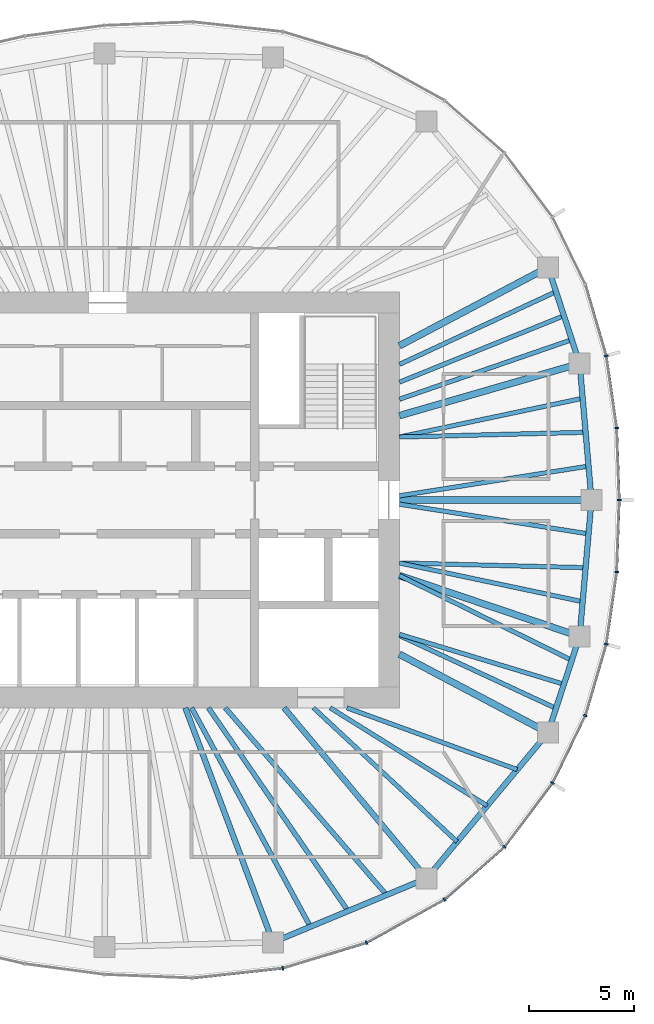
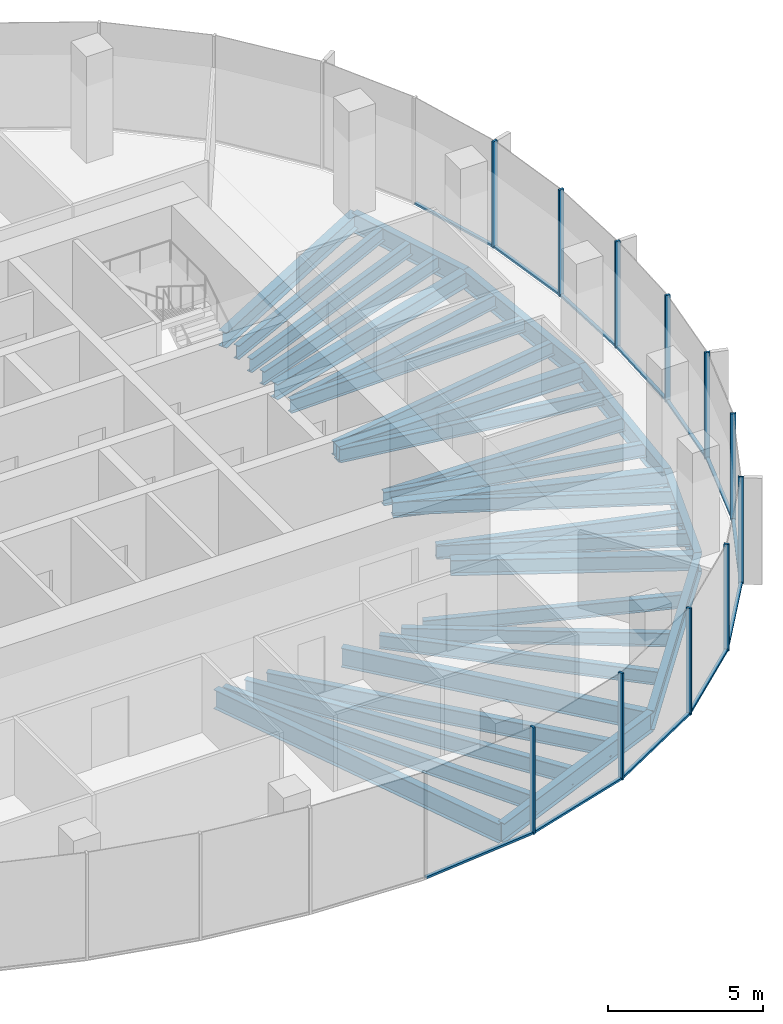
# One storey, part 4 of 11: 31 beams, 23 members, 7 elements without a shape of their own.
"""IFC4 building model written with IfcOpenShell, lengths in metres."""

from ifc_helpers import new_model, si_unit, direction, frame, origin, origin_2d, place, context, subcontext, project, spatial, rectangle, i_section, extrude, material, material_profile, profile_set, type_object, element, aggregate, save


model = new_model("IFC4")

# Units and contexts
model_context = context("Model", 3, precision=1e-05, world=origin(), true_north=direction((0.0, 1.0)))
body_context = subcontext(model_context, "Body", "Model", "MODEL_VIEW")
ifc_project = project(units=[si_unit("LENGTHUNIT", "METRE"), si_unit("AREAUNIT", "SQUARE_METRE"), si_unit("VOLUMEUNIT", "CUBIC_METRE"), si_unit("PLANEANGLEUNIT", "RADIAN"), si_unit("MASSUNIT", "GRAM", prefix="KILO")], contexts=[model_context])

# Site, building, storey
site_placement = place(None, origin())
site = spatial("IfcSite", under=ifc_project, at=site_placement, CompositionType="ELEMENT")
building_placement = place(site_placement, origin())
building = spatial("IfcBuilding", under=site, at=building_placement, Name="Ghaith Harvest Tower", CompositionType="ELEMENT")
storey_placement = place(building_placement, frame((0.0, 0.0, 317.39990234375)))
storey = spatial("IfcBuildingStorey", under=building, at=storey_placement, Name="L71", CompositionType="ELEMENT", Elevation=317.39990234375)

# Curtain wall, members
ifc_material_1 = material(Name="Black anodised aluminium and fritted glass", Category="aluminium")
curtain_wall_type = type_object("IfcCurtainWallType", Name="CW-T CURTAIN WALL", PredefinedType="NOTDEFINED", material=ifc_material_1)
curtain_wall_1_placement = place(storey_placement, origin())
curtain_wall_1 = element("IfcCurtainWall", 1, at=curtain_wall_1_placement, inside=storey, type_object=curtain_wall_type, Name="Curtain wall CW-T bay 01 L71", PredefinedType="NOTDEFINED")
ifc_material_2 = material(Name="Aluminium, black anodised", Category="aluminium")
ifc_material_profile_1 = material_profile(ifc_material_2, rectangle(XDim=0.080078125, YDim=0.179931640625, at=origin_2d()), Name="CW-T MULLION 80x180")
ifc_profile_set_1 = profile_set([ifc_material_profile_1], Name="Aluminium, black anodised")
member_type_1 = type_object("IfcMemberType", Name="CW-T MULLION 80x180", PredefinedType="MULLION", material=ifc_profile_set_1)
member_1_placement = place(storey_placement, frame((24.3701171875, 0.0, 0.0), z_axis=(0.0, 0.0, 1.0), x_axis=(5.2e-11, 1.0, 0.0)))
member_1 = element("IfcMember", 2, at=member_1_placement, type_object=member_type_1, Name="CW-T mullion 1 bay 01 L71", PredefinedType="MULLION", context=body_context, shape_type="SweptSolid", body=[
    extrude(rectangle(XDim=0.080078125, YDim=0.179931640625, at=origin_2d()), origin(), (0.0, 0.0, 1.0), 4.2001953125),
])
member_2_placement = place(storey_placement, frame((24.247802734375, 3.433837890625, 0.0), z_axis=(0.0, 0.0, 1.0), x_axis=(-0.089502202236, 0.995986624305, 0.0)))
member_2 = element("IfcMember", 3, at=member_2_placement, type_object=member_type_1, Name="CW-T mullion 2 bay 01 L71", PredefinedType="MULLION", context=body_context, shape_type="SweptSolid", body=[
    extrude(rectangle(XDim=0.080078125, YDim=0.179931640625, at=origin_2d()), origin(), (0.0, 0.0, 1.0), 4.2001953125),
])

# Curtain wall, member
curtain_wall_2_placement = place(storey_placement, origin())
curtain_wall_2 = element("IfcCurtainWall", 4, at=curtain_wall_2_placement, inside=storey, type_object=curtain_wall_type, Name="Curtain wall CW-T bay 02 L71", PredefinedType="NOTDEFINED")
member_3_placement = place(storey_placement, frame((23.753173828125, 6.865234375, 0.0), z_axis=(0.0, 0.0, 1.0), x_axis=(-0.21340203233, 0.976964468442, 0.0)))
member_3 = element("IfcMember", 5, at=member_3_placement, type_object=member_type_1, Name="CW-T mullion 1 bay 02 L71", PredefinedType="MULLION", context=body_context, shape_type="SweptSolid", body=[
    extrude(rectangle(XDim=0.080078125, YDim=0.179931640625, at=origin_2d()), origin(), (0.0, 0.0, 1.0), 4.2001953125),
])

# Curtain wall, members
curtain_wall_3_placement = place(storey_placement, origin())
curtain_wall_3 = element("IfcCurtainWall", 6, at=curtain_wall_3_placement, inside=storey, type_object=curtain_wall_type, Name="Curtain wall CW-T bay 17 L71", PredefinedType="NOTDEFINED")
member_4_placement = place(storey_placement, frame((8.33984375, -22.308837890625, 0.0), z_axis=(0.0, 0.0, 1.0), x_axis=(0.980000193265, 0.198996535647, 0.0)))
member_4 = element("IfcMember", 7, at=member_4_placement, type_object=member_type_1, Name="CW-T mullion 1 bay 17 L71", PredefinedType="MULLION", context=body_context, shape_type="SweptSolid", body=[
    extrude(rectangle(XDim=0.080078125, YDim=0.179931640625, at=origin_2d()), origin(), (0.0, 0.0, 1.0), 4.2001953125),
])
member_5_placement = place(storey_placement, frame((12.334228515625, -21.091796875, 0.0), z_axis=(0.0, 0.0, 1.0), x_axis=(0.920319269335, 0.391168048914, 0.0)))
member_5 = element("IfcMember", 8, at=member_5_placement, type_object=member_type_1, Name="CW-T mullion 2 bay 17 L71", PredefinedType="MULLION", context=body_context, shape_type="SweptSolid", body=[
    extrude(rectangle(XDim=0.080078125, YDim=0.179931640625, at=origin_2d()), origin(), (0.0, 0.0, 1.0), 4.2001953125),
])

curtain_wall_4_placement = place(storey_placement, origin())
curtain_wall_4 = element("IfcCurtainWall", 9, at=curtain_wall_4_placement, inside=storey, type_object=curtain_wall_type, Name="Curtain wall CW-T bay 18 L71", PredefinedType="NOTDEFINED")
member_6_placement = place(storey_placement, frame((16.04931640625, -19.031982421875, 0.0), z_axis=(0.0, 0.0, 1.0), x_axis=(0.821112053644, 0.570767023715, 0.0)))
member_6 = element("IfcMember", 10, at=member_6_placement, type_object=member_type_1, Name="CW-T mullion 1 bay 18 L71", PredefinedType="MULLION", context=body_context, shape_type="SweptSolid", body=[
    extrude(rectangle(XDim=0.080078125, YDim=0.179931640625, at=origin_2d()), origin(), (0.0, 0.0, 1.0), 4.2001953125),
])
member_7_placement = place(storey_placement, frame((18.901123046875, -16.527099609375, 0.0), z_axis=(0.0, 0.0, 1.0), x_axis=(0.679660897254, 0.733526458108, 0.0)))
member_7 = element("IfcMember", 11, at=member_7_placement, type_object=member_type_1, Name="CW-T mullion 2 bay 18 L71", PredefinedType="MULLION", context=body_context, shape_type="SweptSolid", body=[
    extrude(rectangle(XDim=0.080078125, YDim=0.179931640625, at=origin_2d()), origin(), (0.0, 0.0, 1.0), 4.2001953125),
])

curtain_wall_5_placement = place(storey_placement, origin())
curtain_wall_5 = element("IfcCurtainWall", 12, at=curtain_wall_5_placement, inside=storey, type_object=curtain_wall_type, Name="Curtain wall CW-T bay 19 L71", PredefinedType="NOTDEFINED")
member_8_placement = place(storey_placement, frame((21.18896484375, -13.48486328125, 0.0), z_axis=(0.0, 0.0, 1.0), x_axis=(0.524482238715, 0.85142138878, 0.0)))
member_8 = element("IfcMember", 13, at=member_8_placement, type_object=member_type_1, Name="CW-T mullion 1 bay 19 L71", PredefinedType="MULLION", context=body_context, shape_type="SweptSolid", body=[
    extrude(rectangle(XDim=0.080078125, YDim=0.179931640625, at=origin_2d()), origin(), (0.0, 0.0, 1.0), 4.2001953125),
])
member_9_placement = place(storey_placement, frame((22.754150390625, -10.272216796875, 0.0), z_axis=(0.0, 0.0, 1.0), x_axis=(0.361184273904, 0.932494461262, 0.0)))
member_9 = element("IfcMember", 14, at=member_9_placement, type_object=member_type_1, Name="CW-T mullion 2 bay 19 L71", PredefinedType="MULLION", context=body_context, shape_type="SweptSolid", body=[
    extrude(rectangle(XDim=0.080078125, YDim=0.179931640625, at=origin_2d()), origin(), (0.0, 0.0, 1.0), 4.2001953125),
])

curtain_wall_6_placement = place(storey_placement, origin())
curtain_wall_6 = element("IfcCurtainWall", 15, at=curtain_wall_6_placement, inside=storey, type_object=curtain_wall_type, Name="Curtain wall CW-T bay 20 L71", PredefinedType="NOTDEFINED")
member_10_placement = place(storey_placement, frame((23.753173828125, -6.865234375, 0.0), z_axis=(0.0, 0.0, 1.0), x_axis=(0.213402032501, 0.976964468404, 0.0)))
member_10 = element("IfcMember", 16, at=member_10_placement, type_object=member_type_1, Name="CW-T mullion 1 bay 20 L71", PredefinedType="MULLION", context=body_context, shape_type="SweptSolid", body=[
    extrude(rectangle(XDim=0.080078125, YDim=0.179931640625, at=origin_2d()), origin(), (0.0, 0.0, 1.0), 4.2001953125),
])
member_11_placement = place(storey_placement, frame((24.247802734375, -3.433837890625, 0.0), z_axis=(0.0, 0.0, 1.0), x_axis=(0.089502202305, 0.995986624299, 0.0)))
member_11 = element("IfcMember", 17, at=member_11_placement, type_object=member_type_1, Name="CW-T mullion 2 bay 20 L71", PredefinedType="MULLION", context=body_context, shape_type="SweptSolid", body=[
    extrude(rectangle(XDim=0.080078125, YDim=0.179931640625, at=origin_2d()), origin(), (0.0, 0.0, 1.0), 4.2001953125),
])

# Member
ifc_material_3 = material(Name="Aluminium, black anodised", Category="aluminium")
ifc_material_profile_2 = material_profile(ifc_material_3, rectangle(XDim=0.1201171875, YDim=0.080078125, at=origin_2d()), Name="CW-T TRANSOM 120x80")
ifc_profile_set_2 = profile_set([ifc_material_profile_2], Name="Aluminium, black anodised")
member_type_2 = type_object("IfcMemberType", Name="CW-T TRANSOM 120x80", PredefinedType="USERDEFINED", material=ifc_profile_set_2)
member_12_placement = place(storey_placement, frame((24.36865234375, 0.0400390625, 0.0400390625), z_axis=(-0.035574759537, 0.999367017909, 0.0), x_axis=(-0.999367017909, -0.035574759537, 0.0)))
member_12 = element("IfcMember", 18, at=member_12_placement, type_object=member_type_2, Name="CW-T transom 1 bay 01 L71", ObjectType="TRANSOM", PredefinedType="USERDEFINED", context=body_context, shape_type="SweptSolid", body=[
    extrude(rectangle(XDim=0.1201171875, YDim=0.080078125, at=origin_2d()), origin(), (0.0, 0.0, 1.0), 3.35595703125),
])

member_13_placement = place(storey_placement, frame((24.2421875, 3.473388671875, 0.0400390625), z_axis=(-0.142733224301, 0.989761196795, 0.0), x_axis=(-0.989761196795, -0.142733224301, 0.0)))
member_13 = element("IfcMember", 19, at=member_13_placement, type_object=member_type_2, Name="CW-T transom 2 bay 01 L71", ObjectType="TRANSOM", PredefinedType="USERDEFINED", context=body_context, shape_type="SweptSolid", body=[
    extrude(rectangle(XDim=0.1201171875, YDim=0.080078125, at=origin_2d()), origin(), (0.0, 0.0, 1.0), 3.38671875),
])

aggregate(curtain_wall_1, [member_1, member_12, member_2, member_13])

member_14_placement = place(storey_placement, frame((23.741943359375, 6.903564453125, 0.0400390625), z_axis=(-0.281385475469, 0.95959481772, 0.0), x_axis=(-0.95959481772, -0.281385475469, 0.0)))
member_14 = element("IfcMember", 20, at=member_14_placement, type_object=member_type_2, Name="CW-T transom 1 bay 02 L71", ObjectType="TRANSOM", PredefinedType="USERDEFINED", context=body_context, shape_type="SweptSolid", body=[
    extrude(rectangle(XDim=0.1201171875, YDim=0.080078125, at=origin_2d()), origin(), (0.0, 0.0, 1.0), 3.470458984375),
])

aggregate(curtain_wall_2, [member_3, member_14])

# Curtain wall, member
curtain_wall_7_placement = place(storey_placement, origin())
curtain_wall_7 = element("IfcCurtainWall", 21, at=curtain_wall_7_placement, inside=storey, type_object=curtain_wall_type, Name="Curtain wall CW-T bay 16 L71", PredefinedType="NOTDEFINED")
member_15_placement = place(storey_placement, frame((4.077392578125, -22.772216796875, 0.0400390625), z_axis=(0.994144463069, 0.108059180768, 0.0), x_axis=(-0.108059180768, 0.994144463069, 0.0)))
member_15 = element("IfcMember", 22, at=member_15_placement, type_object=member_type_2, Name="CW-T transom 2 bay 16 L71", ObjectType="TRANSOM", PredefinedType="USERDEFINED", context=body_context, shape_type="SweptSolid", body=[
    extrude(rectangle(XDim=0.1201171875, YDim=0.080078125, at=origin_2d()), origin(), (0.0, 0.0, 1.0), 4.24755859375),
])
aggregate(curtain_wall_7, [member_15])

# Member
member_16_placement = place(storey_placement, frame((8.378173828125, -22.297119140625, 0.0400390625), z_axis=(0.956593713342, 0.291424891858, 0.0), x_axis=(-0.291424891858, 0.956593713342, 0.0)))
member_16 = element("IfcMember", 23, at=member_16_placement, type_object=member_type_2, Name="CW-T transom 1 bay 17 L71", ObjectType="TRANSOM", PredefinedType="USERDEFINED", context=body_context, shape_type="SweptSolid", body=[
    extrude(rectangle(XDim=0.1201171875, YDim=0.080078125, at=origin_2d()), origin(), (0.0, 0.0, 1.0), 4.095703125),
])

member_17_placement = place(storey_placement, frame((12.369384765625, -21.072509765625, 0.0400390625), z_axis=(0.874552130553, 0.484931511603, 0.0), x_axis=(-0.484931511603, 0.874552130553, 0.0)))
member_17 = element("IfcMember", 24, at=member_17_placement, type_object=member_type_2, Name="CW-T transom 2 bay 17 L71", ObjectType="TRANSOM", PredefinedType="USERDEFINED", context=body_context, shape_type="SweptSolid", body=[
    extrude(rectangle(XDim=0.1201171875, YDim=0.080078125, at=origin_2d()), origin(), (0.0, 0.0, 1.0), 4.16748046875),
])

aggregate(curtain_wall_3, [member_4, member_16, member_5, member_17])

member_18_placement = place(storey_placement, frame((16.079345703125, -19.005615234375, 0.0400390625), z_axis=(0.751325799984, 0.659931467865, 0.0), x_axis=(-0.659931467865, 0.751325799984, 0.0)))
member_18 = element("IfcMember", 25, at=member_18_placement, type_object=member_type_2, Name="CW-T transom 1 bay 18 L71", ObjectType="TRANSOM", PredefinedType="USERDEFINED", context=body_context, shape_type="SweptSolid", body=[
    extrude(rectangle(XDim=0.1201171875, YDim=0.080078125, at=origin_2d()), origin(), (0.0, 0.0, 1.0), 3.7158203125),
])

member_19_placement = place(storey_placement, frame((18.925048828125, -16.4951171875, 0.0400390625), z_axis=(0.601079103045, 0.799189534392, 0.0), x_axis=(-0.799189534392, 0.601079103045, 0.0)))
member_19 = element("IfcMember", 26, at=member_19_placement, type_object=member_type_2, Name="CW-T transom 2 bay 18 L71", ObjectType="TRANSOM", PredefinedType="USERDEFINED", context=body_context, shape_type="SweptSolid", body=[
    extrude(rectangle(XDim=0.1201171875, YDim=0.080078125, at=origin_2d()), origin(), (0.0, 0.0, 1.0), 3.7265625),
])

aggregate(curtain_wall_4, [member_6, member_18, member_7, member_19])

member_20_placement = place(storey_placement, frame((21.20654296875, -13.448974609375, 0.0400390625), z_axis=(0.437965078712, 0.898991985408, 0.0), x_axis=(-0.898991985408, 0.437965078712, 0.0)))
member_20 = element("IfcMember", 27, at=member_20_placement, type_object=member_type_2, Name="CW-T transom 1 bay 19 L71", ObjectType="TRANSOM", PredefinedType="USERDEFINED", context=body_context, shape_type="SweptSolid", body=[
    extrude(rectangle(XDim=0.1201171875, YDim=0.080078125, at=origin_2d()), origin(), (0.0, 0.0, 1.0), 3.493408203125),
])

member_21_placement = place(storey_placement, frame((22.765380859375, -10.23388671875, 0.0400390625), z_axis=(0.281385475469, 0.95959481772, 0.0), x_axis=(-0.95959481772, 0.281385475469, 0.0)))
member_21 = element("IfcMember", 28, at=member_21_placement, type_object=member_type_2, Name="CW-T transom 2 bay 19 L71", ObjectType="TRANSOM", PredefinedType="USERDEFINED", context=body_context, shape_type="SweptSolid", body=[
    extrude(rectangle(XDim=0.1201171875, YDim=0.080078125, at=origin_2d()), origin(), (0.0, 0.0, 1.0), 3.470458984375),
])

aggregate(curtain_wall_5, [member_8, member_20, member_9, member_21])

member_22_placement = place(storey_placement, frame((23.7587890625, -6.825439453125, 0.0400390625), z_axis=(0.142733224301, 0.989761196795, 0.0), x_axis=(-0.989761196795, 0.142733224301, 0.0)))
member_22 = element("IfcMember", 29, at=member_22_placement, type_object=member_type_2, Name="CW-T transom 1 bay 20 L71", ObjectType="TRANSOM", PredefinedType="USERDEFINED", context=body_context, shape_type="SweptSolid", body=[
    extrude(rectangle(XDim=0.1201171875, YDim=0.080078125, at=origin_2d()), origin(), (0.0, 0.0, 1.0), 3.38671875),
])

member_23_placement = place(storey_placement, frame((24.249267578125, -3.393798828125, 0.0400390625), z_axis=(0.035574759537, 0.999367017909, 0.0), x_axis=(-0.999367017909, 0.035574759537, 0.0)))
member_23 = element("IfcMember", 30, at=member_23_placement, type_object=member_type_2, Name="CW-T transom 2 bay 20 L71", ObjectType="TRANSOM", PredefinedType="USERDEFINED", context=body_context, shape_type="SweptSolid", body=[
    extrude(rectangle(XDim=0.1201171875, YDim=0.080078125, at=origin_2d()), origin(), (0.0, 0.0, 1.0), 3.35595703125),
])

aggregate(curtain_wall_6, [member_10, member_22, member_11, member_23])

# Beams
ifc_material_4 = material(Name="Steel ASTM A992 Grade 50", Category="steel")
ifc_material_profile_3 = material_profile(ifc_material_4, i_section(OverallWidth=0.26611328125, OverallDepth=0.758056640625, WebThickness=0.013916015625, FlangeThickness=0.019287109375, at=origin_2d()), Name="W760X161")
ifc_profile_set_3 = profile_set([ifc_material_profile_3], Name="Steel ASTM A992 Grade 50")
beam_type_1 = type_object("IfcBeamType", Name="E760-161 W760X161", PredefinedType="SPANDREL", material=ifc_profile_set_3)
beam_1_placement = place(storey_placement, frame((23.050048828125, 0.0, -0.548828125), z_axis=(-0.086600547306, 0.996243115513, 0.0), x_axis=(-0.996243115513, -0.086600547306, 0.0)))
element("IfcBeam", 31, at=beam_1_placement, inside=storey, type_object=beam_type_1, Name="Edge beam E01 L71", PredefinedType="SPANDREL", context=body_context, shape_type="SweptSolid", body=[
    extrude(i_section(OverallWidth=0.26611328125, OverallDepth=0.758056640625, WebThickness=0.013916015625, FlangeThickness=0.019287109375, at=origin_2d()), origin(), (0.0, 0.0, 1.0), 6.5234375),
])
beam_2_placement = place(storey_placement, frame((22.485107421875, 6.4990234375, -0.548828125), z_axis=(-0.312206727278, 0.950014189074, 0.0), x_axis=(-0.950014189074, -0.312206727278, 0.0)))
element("IfcBeam", 32, at=beam_2_placement, inside=storey, type_object=beam_type_1, Name="Edge beam E02 L71", PredefinedType="SPANDREL", context=body_context, shape_type="SweptSolid", body=[
    extrude(i_section(OverallWidth=0.26611328125, OverallDepth=0.758056640625, WebThickness=0.013916015625, FlangeThickness=0.019287109375, at=origin_2d()), origin(), (0.0, 0.0, 1.0), 4.830322265625),
])
beam_3_placement = place(storey_placement, frame((7.8779296875, -21.072021484375, -0.548828125), z_axis=(0.923119729219, 0.384512633766, 0.0), x_axis=(-0.384512633766, 0.923119729219, 0.0)))
element("IfcBeam", 33, at=beam_3_placement, inside=storey, type_object=beam_type_1, Name="Edge beam E17 L71", PredefinedType="SPANDREL", context=body_context, shape_type="SweptSolid", body=[
    extrude(i_section(OverallWidth=0.26611328125, OverallDepth=0.758056640625, WebThickness=0.013916015625, FlangeThickness=0.019287109375, at=origin_2d()), origin(), (0.0, 0.0, 1.0), 7.9296875),
])
beam_4_placement = place(storey_placement, frame((15.197998046875, -18.02294921875, -0.548828125), z_axis=(0.640173759088, 0.76823014662, 0.0), x_axis=(-0.76823014662, 0.640173759088, 0.0)))
element("IfcBeam", 34, at=beam_4_placement, inside=storey, type_object=beam_type_1, Name="Edge beam E18 L71", PredefinedType="SPANDREL", context=body_context, shape_type="SweptSolid", body=[
    extrude(i_section(OverallWidth=0.26611328125, OverallDepth=0.758056640625, WebThickness=0.013916015625, FlangeThickness=0.019287109375, at=origin_2d()), origin(), (0.0, 0.0, 1.0), 9.02734375),
])
beam_5_placement = place(storey_placement, frame((20.97705078125, -11.087890625, -0.548828125), z_axis=(0.312206727278, 0.950014189074, 0.0), x_axis=(-0.950014189074, 0.312206727278, 0.0)))
element("IfcBeam", 35, at=beam_5_placement, inside=storey, type_object=beam_type_1, Name="Edge beam E19 L71", PredefinedType="SPANDREL", context=body_context, shape_type="SweptSolid", body=[
    extrude(i_section(OverallWidth=0.26611328125, OverallDepth=0.758056640625, WebThickness=0.013916015625, FlangeThickness=0.019287109375, at=origin_2d()), origin(), (0.0, 0.0, 1.0), 4.830322265625),
])
beam_6_placement = place(storey_placement, frame((22.485107421875, -6.4990234375, -0.548828125), z_axis=(0.086600547306, 0.996243115513, 0.0), x_axis=(-0.996243115513, 0.086600547306, 0.0)))
element("IfcBeam", 36, at=beam_6_placement, inside=storey, type_object=beam_type_1, Name="Edge beam E20 L71", PredefinedType="SPANDREL", context=body_context, shape_type="SweptSolid", body=[
    extrude(i_section(OverallWidth=0.26611328125, OverallDepth=0.758056640625, WebThickness=0.013916015625, FlangeThickness=0.019287109375, at=origin_2d()), origin(), (0.0, 0.0, 1.0), 6.5234375),
])
ifc_material_5 = material(Name="Steel ASTM A992 Grade 50", Category="steel")
ifc_material_profile_4 = material_profile(ifc_material_5, i_section(OverallWidth=0.323974609375, OverallDepth=0.611083984375, WebThickness=0.0126953125, FlangeThickness=0.01904296875, at=origin_2d()), Name="W610X155")
ifc_profile_set_4 = profile_set([ifc_material_profile_4], Name="Steel ASTM A992 Grade 50")
beam_type_2 = type_object("IfcBeamType", Name="G610-155 W610X155", PredefinedType="BEAM", material=ifc_profile_set_4)
beam_7_placement = place(storey_placement, frame((13.89990234375, 0.0, -0.475341796875), z_axis=(1.0, 0.0, 0.0), x_axis=(0.0, 1.0, 0.0)))
element("IfcBeam", 37, at=beam_7_placement, inside=storey, type_object=beam_type_2, Name="Radial girder G01 L71", PredefinedType="BEAM", context=body_context, shape_type="SweptSolid", body=[
    extrude(i_section(OverallWidth=0.323974609375, OverallDepth=0.611083984375, WebThickness=0.0126953125, FlangeThickness=0.01904296875, at=origin_2d()), origin(), (0.0, 0.0, 1.0), 9.150146484375),
])
beam_8_placement = place(storey_placement, frame((13.89990234375, 4.017333984375, -0.475341796875), z_axis=(0.960668846071, 0.27769653975, 0.0), x_axis=(-0.27769653975, 0.960668846071, 0.0)))
element("IfcBeam", 38, at=beam_8_placement, inside=storey, type_object=beam_type_2, Name="Radial girder G02 L71", PredefinedType="BEAM", context=body_context, shape_type="SweptSolid", body=[
    extrude(i_section(OverallWidth=0.323974609375, OverallDepth=0.611083984375, WebThickness=0.0126953125, FlangeThickness=0.01904296875, at=origin_2d()), origin(), (0.0, 0.0, 1.0), 8.936767578125),
])
for number, where, z_axis, x_axis, name in (
    (39, (13.89990234375, 7.34716796875, -0.475341796875), (0.884097820364, 0.467301876764, 0.0), (-0.467301876764, 0.884097820364, 0.0), "Radial girder G03 L71"),
    (40, (13.89990234375, -7.34716796875, -0.475341796875), (0.884097820364, -0.467301876764, 0.0), (0.467301876764, 0.884097820364, 0.0), "Radial girder G19 L71"),
):
    element("IfcBeam", number, at=place(storey_placement, frame(where, z_axis=z_axis, x_axis=x_axis)), inside=storey, type_object=beam_type_2, Name=name, PredefinedType="BEAM", context=body_context, shape_type="SweptSolid", body=[
        extrude(i_section(OverallWidth=0.323974609375, OverallDepth=0.611083984375, WebThickness=0.0126953125, FlangeThickness=0.01904296875, at=origin_2d()), origin(), (0.0, 0.0, 1.0), 8.0048828125),
    ])
beam_9_placement = place(storey_placement, frame((13.89990234375, -3.60009765625, -0.475341796875), z_axis=(0.947444819082, -0.319919231673, 0.0), x_axis=(0.319919231673, 0.947444819082, 0.0)))
element("IfcBeam", 41, at=beam_9_placement, inside=storey, type_object=beam_type_2, Name="Radial girder G20 L71", PredefinedType="BEAM", context=body_context, shape_type="SweptSolid", body=[
    extrude(i_section(OverallWidth=0.323974609375, OverallDepth=0.611083984375, WebThickness=0.0126953125, FlangeThickness=0.01904296875, at=origin_2d()), origin(), (0.0, 0.0, 1.0), 9.0615234375),
])
ifc_material_6 = material(Name="Steel ASTM A992 Grade 50", Category="steel")
ifc_material_profile_5 = material_profile(ifc_material_6, i_section(OverallWidth=0.26611328125, OverallDepth=0.758056640625, WebThickness=0.013916015625, FlangeThickness=0.019287109375, at=origin_2d()), Name="W760X161")
ifc_profile_set_5 = profile_set([ifc_material_profile_5], Name="Steel ASTM A992 Grade 50")
beam_type_3 = type_object("IfcBeamType", Name="G760-161 W760X161", PredefinedType="BEAM", material=ifc_profile_set_5)
beam_10_placement = place(storey_placement, frame((3.700927734375, -9.89990234375, -0.548828125), z_axis=(0.350201332531, -0.936674450753, 0.0), x_axis=(0.936674450753, 0.350201332531, 0.0)))
element("IfcBeam", 42, at=beam_10_placement, inside=storey, type_object=beam_type_3, Name="Radial girder G17 L71", PredefinedType="BEAM", context=body_context, shape_type="SweptSolid", body=[
    extrude(i_section(OverallWidth=0.26611328125, OverallDepth=0.758056640625, WebThickness=0.013916015625, FlangeThickness=0.019287109375, at=origin_2d()), origin(), (0.0, 0.0, 1.0), 11.927490234375),
])
beam_11_placement = place(storey_placement, frame((8.39990234375, -9.89990234375, -0.548828125), z_axis=(0.641792628883, -0.766878231215, 0.0), x_axis=(0.766878231215, 0.641792628883, 0.0)))
element("IfcBeam", 43, at=beam_11_placement, inside=storey, type_object=beam_type_3, Name="Radial girder G18 L71", PredefinedType="BEAM", context=body_context, shape_type="SweptSolid", body=[
    extrude(i_section(OverallWidth=0.26611328125, OverallDepth=0.758056640625, WebThickness=0.013916015625, FlangeThickness=0.019287109375, at=origin_2d()), origin(), (0.0, 0.0, 1.0), 10.59228515625),
])
ifc_material_7 = material(Name="Steel ASTM A992 Grade 50", Category="steel")
ifc_material_profile_6 = material_profile(ifc_material_7, i_section(OverallWidth=0.2109375, OverallDepth=0.5390625, WebThickness=0.01171875, FlangeThickness=0.018798828125, at=origin_2d()), Name="W530X109")
ifc_profile_set_6 = profile_set([ifc_material_profile_6], Name="Steel ASTM A992 Grade 50")
beam_type_4 = type_object("IfcBeamType", Name="J530-109 W530X109", PredefinedType="JOIST", material=ifc_profile_set_6)
beam_12_placement = place(storey_placement, frame((13.89990234375, 0.199951171875, -0.439453125), z_axis=(0.987906665526, 0.155049734628, 0.0), x_axis=(-0.155049734628, 0.987906665526, 0.0)))
element("IfcBeam", 44, at=beam_12_placement, inside=storey, type_object=beam_type_4, Name="Joist J01.1 L71", PredefinedType="JOIST", context=body_context, shape_type="SweptSolid", body=[
    extrude(i_section(OverallWidth=0.2109375, OverallDepth=0.5390625, WebThickness=0.01171875, FlangeThickness=0.018798828125, at=origin_2d()), origin(), (0.0, 0.0, 1.0), 9.1201171875),
])
beam_13_placement = place(storey_placement, frame((13.89990234375, 3.0, -0.439453125), z_axis=(0.999679533859, 0.025314612071, 0.0), x_axis=(-0.025314612071, 0.999679533859, 0.0)))
element("IfcBeam", 45, at=beam_13_placement, inside=storey, type_object=beam_type_4, Name="Joist J01.2 L71", PredefinedType="JOIST", context=body_context, shape_type="SweptSolid", body=[
    extrude(i_section(OverallWidth=0.2109375, OverallDepth=0.5390625, WebThickness=0.01171875, FlangeThickness=0.018798828125, at=origin_2d()), origin(), (0.0, 0.0, 1.0), 8.872802734375),
])
beam_14_placement = place(storey_placement, frame((13.89990234375, 3.0, -0.439453125), z_axis=(0.97833382446, 0.207033639579, 0.0), x_axis=(-0.207033639579, 0.97833382446, 0.0)))
element("IfcBeam", 46, at=beam_14_placement, inside=storey, type_object=beam_type_4, Name="Joist J01.3 L71", PredefinedType="JOIST", context=body_context, shape_type="SweptSolid", body=[
    extrude(i_section(OverallWidth=0.2109375, OverallDepth=0.5390625, WebThickness=0.01171875, FlangeThickness=0.018798828125, at=origin_2d()), origin(), (0.0, 0.0, 1.0), 8.922119140625),
])
beam_15_placement = place(storey_placement, frame((13.89990234375, 4.801025390625, -0.439453125), z_axis=(0.945204712775, 0.326478254937, 0.0), x_axis=(-0.326478254937, 0.945204712775, 0.0)))
element("IfcBeam", 47, at=beam_15_placement, inside=storey, type_object=beam_type_4, Name="Joist J02.1 L71", PredefinedType="JOIST", context=body_context, shape_type="SweptSolid", body=[
    extrude(i_section(OverallWidth=0.2109375, OverallDepth=0.5390625, WebThickness=0.01171875, FlangeThickness=0.018798828125, at=origin_2d()), origin(), (0.0, 0.0, 1.0), 8.687255859375),
])
beam_16_placement = place(storey_placement, frame((13.89990234375, 5.61328125, -0.439453125), z_axis=(0.927254375113, 0.374432001615, 0.0), x_axis=(-0.374432001615, 0.927254375113, 0.0)))
element("IfcBeam", 48, at=beam_16_placement, inside=storey, type_object=beam_type_4, Name="Joist J02.2 L71", PredefinedType="JOIST", context=body_context, shape_type="SweptSolid", body=[
    extrude(i_section(OverallWidth=0.2109375, OverallDepth=0.5390625, WebThickness=0.01171875, FlangeThickness=0.018798828125, at=origin_2d()), origin(), (0.0, 0.0, 1.0), 8.450927734375),
])
beam_17_placement = place(storey_placement, frame((13.89990234375, 6.45947265625, -0.439453125), z_axis=(0.906859906661, 0.42143221245, 0.0), x_axis=(-0.42143221245, 0.906859906661, 0.0)))
element("IfcBeam", 49, at=beam_17_placement, inside=storey, type_object=beam_type_4, Name="Joist J02.3 L71", PredefinedType="JOIST", context=body_context, shape_type="SweptSolid", body=[
    extrude(i_section(OverallWidth=0.2109375, OverallDepth=0.5390625, WebThickness=0.01171875, FlangeThickness=0.018798828125, at=origin_2d()), origin(), (0.0, 0.0, 1.0), 8.22509765625),
])
beam_18_placement = place(storey_placement, frame((9.800048828125, -9.89990234375, -0.439453125), z_axis=(0.73164904944, -0.681681500742, 0.0), x_axis=(0.681681500742, 0.73164904944, 0.0)))
element("IfcBeam", 50, at=beam_18_placement, inside=storey, type_object=beam_type_4, Name="Joist J18.1 L71", PredefinedType="JOIST", context=body_context, shape_type="SweptSolid", body=[
    extrude(i_section(OverallWidth=0.2109375, OverallDepth=0.5390625, WebThickness=0.01171875, FlangeThickness=0.018798828125, at=origin_2d()), origin(), (0.0, 0.0, 1.0), 9.361572265625),
])
beam_19_placement = place(storey_placement, frame((10.60009765625, -9.89990234375, -0.439453125), z_axis=(0.84837619421, -0.52939383553, 0.0), x_axis=(0.52939383553, 0.84837619421, 0.0)))
element("IfcBeam", 51, at=beam_19_placement, inside=storey, type_object=beam_type_4, Name="Joist J18.2 L71", PredefinedType="JOIST", context=body_context, shape_type="SweptSolid", body=[
    extrude(i_section(OverallWidth=0.2109375, OverallDepth=0.5390625, WebThickness=0.01171875, FlangeThickness=0.018798828125, at=origin_2d()), origin(), (0.0, 0.0, 1.0), 8.814697265625),
])
beam_20_placement = place(storey_placement, frame((11.39990234375, -9.89990234375, -0.439453125), z_axis=(0.939925501564, -0.341379629605, 0.0), x_axis=(0.341379629605, 0.939925501564, 0.0)))
element("IfcBeam", 52, at=beam_20_placement, inside=storey, type_object=beam_type_4, Name="Joist J18.3 L71", PredefinedType="JOIST", context=body_context, shape_type="SweptSolid", body=[
    extrude(i_section(OverallWidth=0.2109375, OverallDepth=0.5390625, WebThickness=0.01171875, FlangeThickness=0.018798828125, at=origin_2d()), origin(), (0.0, 0.0, 1.0), 8.630615234375),
])
beam_21_placement = place(storey_placement, frame((13.89990234375, -6.45947265625, -0.439453125), z_axis=(0.906859906661, -0.42143221245, 0.0), x_axis=(0.42143221245, 0.906859906661, 0.0)))
element("IfcBeam", 53, at=beam_21_placement, inside=storey, type_object=beam_type_4, Name="Joist J19.1 L71", PredefinedType="JOIST", context=body_context, shape_type="SweptSolid", body=[
    extrude(i_section(OverallWidth=0.2109375, OverallDepth=0.5390625, WebThickness=0.01171875, FlangeThickness=0.018798828125, at=origin_2d()), origin(), (0.0, 0.0, 1.0), 8.22509765625),
])
beam_22_placement = place(storey_placement, frame((13.89990234375, -6.39990234375, -0.439453125), z_axis=(0.9569197823, -0.290352424208, 0.0), x_axis=(0.290352424208, 0.9569197823, 0.0)))
element("IfcBeam", 54, at=beam_22_placement, inside=storey, type_object=beam_type_4, Name="Joist J19.2 L71", PredefinedType="JOIST", context=body_context, shape_type="SweptSolid", body=[
    extrude(i_section(OverallWidth=0.2109375, OverallDepth=0.5390625, WebThickness=0.01171875, FlangeThickness=0.018798828125, at=origin_2d()), origin(), (0.0, 0.0, 1.0), 8.18896484375),
])
beam_23_placement = place(storey_placement, frame((13.89990234375, -3.60009765625, -0.439453125), z_axis=(0.89740088778, -0.441216099674, 0.0), x_axis=(0.441216099674, 0.89740088778, 0.0)))
element("IfcBeam", 55, at=beam_23_placement, inside=storey, type_object=beam_type_4, Name="Joist J19.3 L71", PredefinedType="JOIST", context=body_context, shape_type="SweptSolid", body=[
    extrude(i_section(OverallWidth=0.2109375, OverallDepth=0.5390625, WebThickness=0.01171875, FlangeThickness=0.018798828125, at=origin_2d()), origin(), (0.0, 0.0, 1.0), 9.14990234375),
])
beam_24_placement = place(storey_placement, frame((13.89990234375, -3.0, -0.439453125), z_axis=(0.97833382446, -0.207033639579, 0.0), x_axis=(0.207033639579, 0.97833382446, 0.0)))
element("IfcBeam", 56, at=beam_24_placement, inside=storey, type_object=beam_type_4, Name="Joist J20.1 L71", PredefinedType="JOIST", context=body_context, shape_type="SweptSolid", body=[
    extrude(i_section(OverallWidth=0.2109375, OverallDepth=0.5390625, WebThickness=0.01171875, FlangeThickness=0.018798828125, at=origin_2d()), origin(), (0.0, 0.0, 1.0), 8.922119140625),
])
beam_25_placement = place(storey_placement, frame((13.89990234375, -3.0, -0.439453125), z_axis=(0.999679533859, -0.025314612071, 0.0), x_axis=(0.025314612071, 0.999679533859, 0.0)))
element("IfcBeam", 57, at=beam_25_placement, inside=storey, type_object=beam_type_4, Name="Joist J20.2 L71", PredefinedType="JOIST", context=body_context, shape_type="SweptSolid", body=[
    extrude(i_section(OverallWidth=0.2109375, OverallDepth=0.5390625, WebThickness=0.01171875, FlangeThickness=0.018798828125, at=origin_2d()), origin(), (0.0, 0.0, 1.0), 8.872802734375),
])
beam_26_placement = place(storey_placement, frame((13.89990234375, -0.199951171875, -0.439453125), z_axis=(0.987906665526, -0.155049734628, 0.0), x_axis=(0.155049734628, 0.987906665526, 0.0)))
element("IfcBeam", 58, at=beam_26_placement, inside=storey, type_object=beam_type_4, Name="Joist J20.3 L71", PredefinedType="JOIST", context=body_context, shape_type="SweptSolid", body=[
    extrude(i_section(OverallWidth=0.2109375, OverallDepth=0.5390625, WebThickness=0.01171875, FlangeThickness=0.018798828125, at=origin_2d()), origin(), (0.0, 0.0, 1.0), 9.1201171875),
])
ifc_material_8 = material(Name="Steel ASTM A992 Grade 50", Category="steel")
ifc_material_profile_7 = material_profile(ifc_material_8, i_section(OverallWidth=0.22998046875, OverallDepth=0.616943359375, WebThickness=0.01318359375, FlangeThickness=0.022216796875, at=origin_2d()), Name="W610X140")
ifc_profile_set_7 = profile_set([ifc_material_profile_7], Name="Steel ASTM A992 Grade 50")
beam_type_5 = type_object("IfcBeamType", Name="J610-140 W610X140", PredefinedType="JOIST", material=ifc_profile_set_7)
beam_27_placement = place(storey_placement, frame((4.0, -9.89990234375, -0.478515625), z_axis=(0.476764926531, -0.879030832696, 0.0), x_axis=(0.879030832696, 0.476764926531, 0.0)))
element("IfcBeam", 59, at=beam_27_placement, inside=storey, type_object=beam_type_5, Name="Joist J17.1 L71", PredefinedType="JOIST", context=body_context, shape_type="SweptSolid", body=[
    extrude(i_section(OverallWidth=0.22998046875, OverallDepth=0.616943359375, WebThickness=0.01318359375, FlangeThickness=0.022216796875, at=origin_2d()), origin(), (0.0, 0.0, 1.0), 11.866455078125),
])
beam_28_placement = place(storey_placement, frame((4.800048828125, -9.89990234375, -0.478515625), z_axis=(0.566228035119, -0.824248634967, 0.0), x_axis=(0.824248634967, 0.566228035119, 0.0)))
element("IfcBeam", 60, at=beam_28_placement, inside=storey, type_object=beam_type_5, Name="Joist J17.2 L71", PredefinedType="JOIST", context=body_context, shape_type="SweptSolid", body=[
    extrude(i_section(OverallWidth=0.22998046875, OverallDepth=0.616943359375, WebThickness=0.01318359375, FlangeThickness=0.022216796875, at=origin_2d()), origin(), (0.0, 0.0, 1.0), 11.748046875),
])
beam_29_placement = place(storey_placement, frame((5.60009765625, -9.89990234375, -0.478515625), z_axis=(0.652992938501, -0.757363995888, 0.0), x_axis=(0.757363995888, 0.652992938501, 0.0)))
element("IfcBeam", 61, at=beam_29_placement, inside=storey, type_object=beam_type_5, Name="Joist J17.3 L71", PredefinedType="JOIST", context=body_context, shape_type="SweptSolid", body=[
    extrude(i_section(OverallWidth=0.22998046875, OverallDepth=0.616943359375, WebThickness=0.01318359375, FlangeThickness=0.022216796875, at=origin_2d()), origin(), (0.0, 0.0, 1.0), 11.775390625),
])

save(model, "model.ifc")
